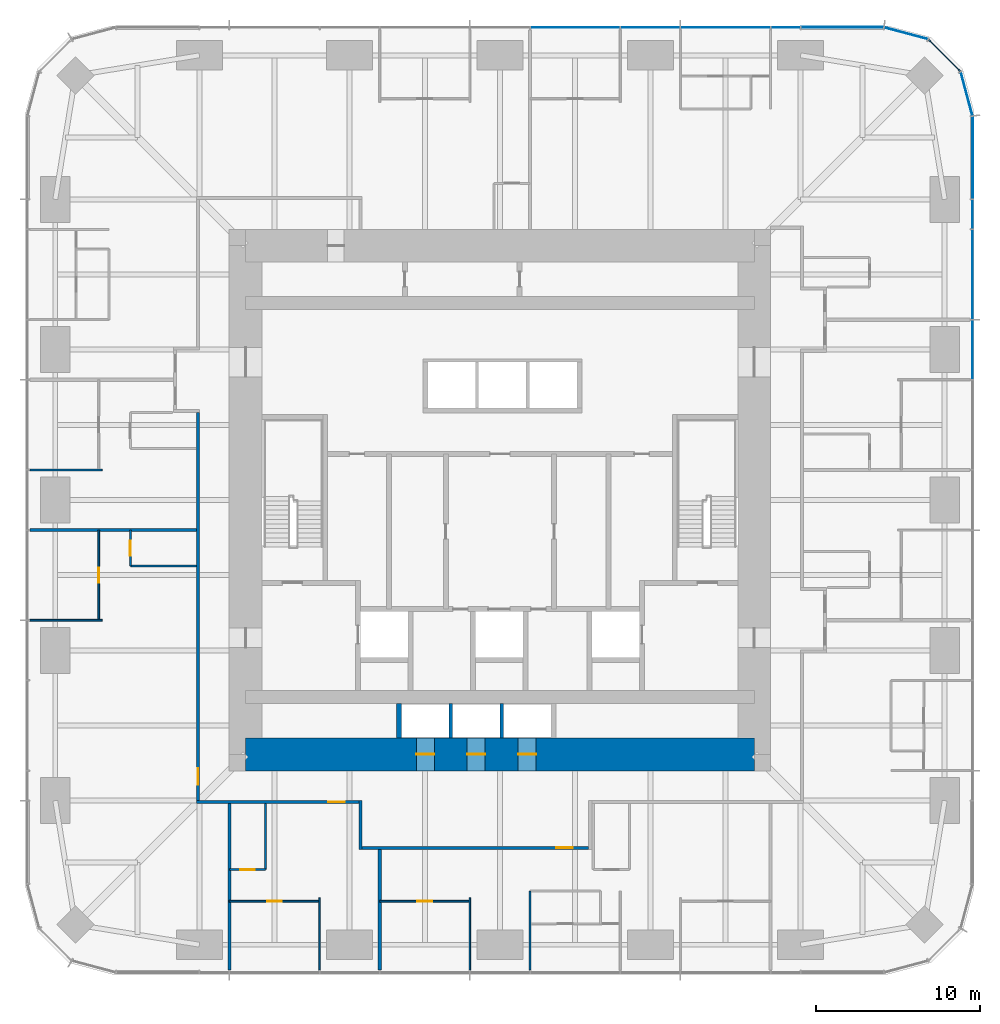
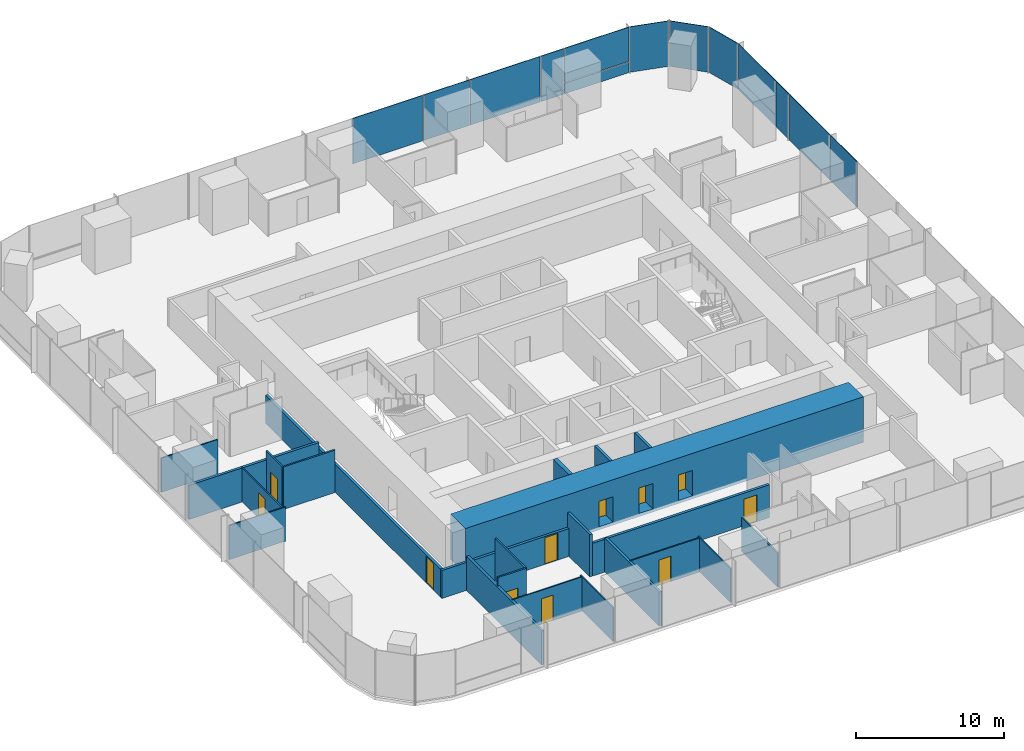
# One storey, part 8 of 13: 23 walls, 14 plates, 11 doors, 11 openings, 3 elements without a shape of their own.
"""IFC4 building model written with IfcOpenShell, lengths in metres."""

from ifc_helpers import new_model, si_unit, direction, frame, frame_2d, origin, origin_2d, place, context, subcontext, project, spatial, rectangle, extrude, material, layer, layer_set, type_object, element, fill, aggregate, save


model = new_model("IFC4")

# Units and contexts
model_context = context("Model", 3, precision=1e-05, world=origin(), true_north=direction((0.0, 1.0)))
body_context = subcontext(model_context, "Body", "Model", "MODEL_VIEW")
ifc_project = project(units=[si_unit("LENGTHUNIT", "METRE"), si_unit("AREAUNIT", "SQUARE_METRE"), si_unit("VOLUMEUNIT", "CUBIC_METRE"), si_unit("PLANEANGLEUNIT", "RADIAN"), si_unit("MASSUNIT", "GRAM", prefix="KILO")], contexts=[model_context])

# Site, building, storey
site_placement = place(None, origin())
site = spatial("IfcSite", under=ifc_project, at=site_placement, CompositionType="ELEMENT")
building_placement = place(site_placement, origin())
building = spatial("IfcBuilding", under=site, at=building_placement, Name="Khuree Lantern Residences", CompositionType="ELEMENT")
storey_placement = place(building_placement, frame((0.0, 0.0, 137.25)))
storey = spatial("IfcBuildingStorey", under=building, at=storey_placement, Name="L34", CompositionType="ELEMENT", Elevation=137.25)

# Curtain wall, plates
ifc_material_1 = material(Name="Bronze anodised aluminium", Category="aluminium")
curtain_wall_type_1 = type_object("IfcCurtainWallType", Name="CW-T2 TOWER CORNER CURTAIN WALL", PredefinedType="USERDEFINED", material=ifc_material_1)
curtain_wall_1_placement = place(storey_placement, origin())
curtain_wall_1 = element("IfcCurtainWall", 1, at=curtain_wall_1_placement, inside=storey, type_object=curtain_wall_type_1, Name="L34 NORTH-EAST CORNER CURTAIN WALL", ObjectType="Faceted corner curtain wall", PredefinedType="USERDEFINED")
ifc_material_2 = material(Name="Bronze tinted triple glazing", Category="glass")
ifc_layer_1 = layer(ifc_material_2, 0.048095703125)
ifc_layer_set_1 = layer_set([ifc_layer_1], Name="FACET PANEL P4")
plate_type_1 = type_object("IfcPlateType", Name="FACET PANEL P4", PredefinedType="CURTAIN_PANEL", material=ifc_layer_set_1)
plate_1_placement = place(storey_placement, frame((28.438720703125, 24.748046875, 0.0), z_axis=(0.0, 0.0, 1.0), x_axis=(-0.258819105321, 0.965925810153, 0.0)))
plate_1 = element("IfcPlate", 2, at=plate_1_placement, type_object=plate_type_1, Name="L34 NORTH-EAST CORNER PANEL 15.1", PredefinedType="CURTAIN_PANEL", context=body_context, shape_type="SweptSolid", body=[
    extrude(rectangle(XDim=2.71923828125, YDim=0.048095703125, at=origin_2d()), origin(), (0.0, 0.0, 1.0), 3.75),
])
plate_2_placement = place(storey_placement, frame((27.08837890625, 27.08837890625, 0.0), z_axis=(0.0, 0.0, 1.0), x_axis=(-0.707106781187, 0.707106781187, 0.0)))
plate_2 = element("IfcPlate", 3, at=plate_2_placement, type_object=plate_type_1, Name="L34 NORTH-EAST CORNER PANEL 16.1", PredefinedType="CURTAIN_PANEL", context=body_context, shape_type="SweptSolid", body=[
    extrude(rectangle(XDim=2.715087890625, YDim=0.048095703125, at=origin_2d()), origin(), (0.0, 0.0, 1.0), 3.75),
])
plate_3_placement = place(storey_placement, frame((24.748046875, 28.438720703125, 0.0), z_axis=(0.0, 0.0, 1.0), x_axis=(-0.965925810153, 0.258819105321, 0.0)))
plate_3 = element("IfcPlate", 4, at=plate_3_placement, type_object=plate_type_1, Name="L34 NORTH-EAST CORNER PANEL 17.1", PredefinedType="CURTAIN_PANEL", context=body_context, shape_type="SweptSolid", body=[
    extrude(rectangle(XDim=2.71923828125, YDim=0.048095703125, at=origin_2d()), origin(), (0.0, 0.0, 1.0), 3.75),
])
aggregate(curtain_wall_1, [plate_1, plate_2, plate_3])

# Curtain wall, plate
curtain_wall_type_2 = type_object("IfcCurtainWallType", Name="CW-T1 TOWER FACE CURTAIN WALL", PredefinedType="USERDEFINED", material=ifc_material_1)
curtain_wall_2_placement = place(storey_placement, origin())
curtain_wall_2 = element("IfcCurtainWall", 5, at=curtain_wall_2_placement, inside=storey, type_object=curtain_wall_type_2, Name="L34 EAST FACE CURTAIN WALL", ObjectType="Stick-built curtain wall", PredefinedType="USERDEFINED")
ifc_material_3 = material(Name="Bronze tinted triple glazing with a ceramic-fritted spandrel band", Category="glass")
ifc_layer_2 = layer(ifc_material_3, 0.048095703125)
ifc_layer_set_2 = layer_set([ifc_layer_2], Name="FIXED LIGHT PANEL P11")
plate_type_2 = type_object("IfcPlateType", Name="FIXED LIGHT PANEL P11", PredefinedType="CURTAIN_PANEL", material=ifc_layer_set_2)
plate_4_placement = place(storey_placement, frame((28.800048828125, 13.739990234375, 0.0), z_axis=(0.0, 0.0, 1.0), x_axis=(0.0, 1.0, 0.0)))
plate_4 = element("IfcPlate", 6, at=plate_4_placement, type_object=plate_type_2, Name="L34 EAST FACE PANEL 12.1", PredefinedType="CURTAIN_PANEL", context=body_context, shape_type="SweptSolid", body=[
    extrude(rectangle(XDim=5.430908203125, YDim=0.048095703125, at=origin_2d()), origin(), (0.0, 0.0, 1.0), 3.75),
])

# Curtain wall, plates
curtain_wall_3_placement = place(storey_placement, origin())
curtain_wall_3 = element("IfcCurtainWall", 7, at=curtain_wall_3_placement, inside=storey, type_object=curtain_wall_type_2, Name="L34 NORTH FACE CURTAIN WALL", ObjectType="Stick-built curtain wall", PredefinedType="USERDEFINED")
plate_5_placement = place(storey_placement, frame((13.739990234375, 28.800048828125, 0.0), z_axis=(0.0, 0.0, 1.0), x_axis=(-1.0, 0.0, 0.0)))
plate_5 = element("IfcPlate", 8, at=plate_5_placement, type_object=plate_type_2, Name="L34 NORTH FACE PANEL 20.1", PredefinedType="CURTAIN_PANEL", context=body_context, shape_type="SweptSolid", body=[
    extrude(rectangle(XDim=5.430908203125, YDim=0.048095703125, at=origin_2d()), origin(), (0.0, 0.0, 1.0), 3.75),
])
plate_6_placement = place(storey_placement, frame((4.580078125, 28.800048828125, 0.0), z_axis=(0.0, 0.0, 1.0), x_axis=(-1.0, 0.0, 0.0)))
plate_6 = element("IfcPlate", 9, at=plate_6_placement, type_object=plate_type_2, Name="L34 NORTH FACE PANEL 22.1", PredefinedType="CURTAIN_PANEL", context=body_context, shape_type="SweptSolid", body=[
    extrude(rectangle(XDim=5.430908203125, YDim=0.048095703125, at=origin_2d()), origin(), (0.0, 0.0, 1.0), 3.75),
])

# Plate
ifc_material_4 = material(Name="Bronze tinted triple glazing, two aluminium-framed sashes in one frame", Category="aluminium")
ifc_layer_3 = layer(ifc_material_4, 0.048095703125)
ifc_layer_set_3 = layer_set([ifc_layer_3], Name="SASH PAIR PANEL P12")
plate_type_3 = type_object("IfcPlateType", Name="SASH PAIR PANEL P12", PredefinedType="CURTAIN_PANEL", material=ifc_layer_set_3)
plate_7_placement = place(storey_placement, frame((28.800048828125, 9.159912109375, 0.0), z_axis=(0.0, 0.0, 1.0), x_axis=(0.0, 1.0, 0.0)))
plate_7 = element("IfcPlate", 10, at=plate_7_placement, type_object=plate_type_3, Name="L34 EAST FACE PANEL 11.1", PredefinedType="CURTAIN_PANEL", context=body_context, shape_type="SweptSolid", body=[
    extrude(rectangle(XDim=3.59912109375, YDim=0.048095703125, at=origin_2d()), origin(), (0.0, 0.0, 1.0), 3.75),
])

plate_8_placement = place(storey_placement, frame((9.159912109375, 28.800048828125, 0.0), z_axis=(0.0, 0.0, 1.0), x_axis=(-1.0, 0.0, 0.0)))
plate_8 = element("IfcPlate", 11, at=plate_8_placement, type_object=plate_type_3, Name="L34 NORTH FACE PANEL 21.1", PredefinedType="CURTAIN_PANEL", context=body_context, shape_type="SweptSolid", body=[
    extrude(rectangle(XDim=3.59912109375, YDim=0.048095703125, at=origin_2d()), origin(), (0.0, 0.0, 1.0), 3.75),
])

ifc_material_5 = material(Name="Bronze tinted triple glazing, aluminium-framed sash", Category="aluminium")
ifc_layer_4 = layer(ifc_material_5, 0.048095703125)
ifc_layer_set_4 = layer_set([ifc_layer_4], Name="SASH PANEL P3")
plate_type_4 = type_object("IfcPlateType", Name="SASH PANEL P3", PredefinedType="CURTAIN_PANEL", material=ifc_layer_set_4)
plate_9_placement = place(storey_placement, frame((28.800048828125, 17.404052734375, 0.0), z_axis=(0.0, 0.0, 1.0), x_axis=(0.0, 1.0, 0.0)))
plate_9 = element("IfcPlate", 12, at=plate_9_placement, type_object=plate_type_4, Name="L34 EAST FACE PANEL 13.1", PredefinedType="CURTAIN_PANEL", context=body_context, shape_type="SweptSolid", body=[
    extrude(rectangle(XDim=1.76708984375, YDim=0.048095703125, at=origin_2d()), origin(), (0.0, 0.0, 1.0), 3.75),
])

plate_10_placement = place(storey_placement, frame((17.404052734375, 28.800048828125, 0.0), z_axis=(0.0, 0.0, 1.0), x_axis=(-1.0, 0.0, 0.0)))
plate_10 = element("IfcPlate", 13, at=plate_10_placement, type_object=plate_type_4, Name="L34 NORTH FACE PANEL 19.1", PredefinedType="CURTAIN_PANEL", context=body_context, shape_type="SweptSolid", body=[
    extrude(rectangle(XDim=1.76708984375, YDim=0.048095703125, at=origin_2d()), origin(), (0.0, 0.0, 1.0), 3.75),
])

ifc_material_6 = material(Name="Bronze anodised aluminium insulated spandrel", Category="aluminium")
ifc_layer_5 = layer(ifc_material_6, 0.06005859375)
ifc_layer_set_5 = layer_set([ifc_layer_5], Name="SPANDREL PANEL P2")
plate_type_5 = type_object("IfcPlateType", Name="SPANDREL PANEL P2", PredefinedType="CURTAIN_PANEL", material=ifc_layer_set_5)
plate_11_placement = place(storey_placement, frame((28.800048828125, 20.85791015625, 0.0), z_axis=(0.0, 0.0, 1.0), x_axis=(0.0, 1.0, 0.0)))
plate_11 = element("IfcPlate", 14, at=plate_11_placement, type_object=plate_type_5, Name="L34 EAST FACE PANEL 14.1", PredefinedType="CURTAIN_PANEL", context=body_context, shape_type="SweptSolid", body=[
    extrude(rectangle(XDim=5.0107421875, YDim=0.06005859375, at=origin_2d()), origin(), (0.0, 0.0, 1.0), 0.867431640625),
])

plate_12_placement = place(storey_placement, frame((20.85791015625, 28.800048828125, 0.0), z_axis=(0.0, 0.0, 1.0), x_axis=(-1.0, 0.0, 0.0)))
plate_12 = element("IfcPlate", 15, at=plate_12_placement, type_object=plate_type_5, Name="L34 NORTH FACE PANEL 18.1", PredefinedType="CURTAIN_PANEL", context=body_context, shape_type="SweptSolid", body=[
    extrude(rectangle(XDim=5.0107421875, YDim=0.06005859375, at=origin_2d()), origin(), (0.0, 0.0, 1.0), 0.867431640625),
])

ifc_layer_6 = layer(ifc_material_2, 0.048095703125)
ifc_layer_set_6 = layer_set([ifc_layer_6], Name="VISION PANEL P1")
plate_type_6 = type_object("IfcPlateType", Name="VISION PANEL P1", PredefinedType="CURTAIN_PANEL", material=ifc_layer_set_6)
plate_13_placement = place(storey_placement, frame((28.800048828125, 20.8583984375, 0.9326171875), z_axis=(0.0, 0.0, 1.0), x_axis=(0.0, 1.0, 0.0)))
plate_13 = element("IfcPlate", 16, at=plate_13_placement, type_object=plate_type_6, Name="L34 EAST FACE PANEL 14.2", PredefinedType="CURTAIN_PANEL", context=body_context, shape_type="SweptSolid", body=[
    extrude(rectangle(XDim=5.011474609375, YDim=0.048095703125, at=origin_2d()), origin(), (0.0, 0.0, 1.0), 2.8173828125),
])

aggregate(curtain_wall_2, [plate_7, plate_4, plate_9, plate_11, plate_13])

plate_14_placement = place(storey_placement, frame((20.8583984375, 28.800048828125, 0.9326171875), z_axis=(0.0, 0.0, 1.0), x_axis=(-1.0, 0.0, 0.0)))
plate_14 = element("IfcPlate", 17, at=plate_14_placement, type_object=plate_type_6, Name="L34 NORTH FACE PANEL 18.2", PredefinedType="CURTAIN_PANEL", context=body_context, shape_type="SweptSolid", body=[
    extrude(rectangle(XDim=5.011474609375, YDim=0.048095703125, at=origin_2d()), origin(), (0.0, 0.0, 1.0), 2.8173828125),
])

aggregate(curtain_wall_3, [plate_12, plate_14, plate_10, plate_5, plate_8, plate_6])

# Wall, opening, door
ifc_material_7 = material(Name="Moisture-resistant gypsum board on steel studs", Category="steel")
ifc_layer_7 = layer(ifc_material_7, 0.125)
ifc_layer_set_7 = layer_set([ifc_layer_7], Name="BATHROOM WALL BTW125")
wall_type_1 = type_object("IfcWallType", Name="BATHROOM WALL BTW125", PredefinedType="PARTITIONING", material=ifc_layer_set_7)
wall_1_placement = place(storey_placement, frame((-22.52978515625, -1.83203125, 0.0), z_axis=(0.0, 0.0, 1.0), x_axis=(0.0, -1.0, 0.0)))
wall_1 = element("IfcWall", 18, at=wall_1_placement, inside=storey, type_object=wall_type_1, Name="L34 BATHROOM WALL 06", PredefinedType="PARTITIONING", context=body_context, shape_type="SweptSolid", body=[
    extrude(rectangle(XDim=2.199951171875, YDim=0.125, at=frame_2d((1.10009765625, 0.0))), origin(), (0.0, 0.0, 1.0), 3.5),
])
opening_1_placement = place(wall_1_placement, frame((0.64990234375, 0.0, 0.0)))
opening_1 = element("IfcOpeningElement", 19, at=opening_1_placement, cuts=wall_1, Name="Opening 34-043", PredefinedType="OPENING", context=body_context, shape_type="SweptSolid", body=[
    extrude(rectangle(XDim=0.89990234375, YDim=2.10009765625, at=frame_2d((0.449951171875, 1.050048828125))), frame((0.0, 0.072509765625, 0.0), z_axis=(0.0, -1.0, 0.0), x_axis=(1.0, 0.0, 0.0)), (0.0, 0.0, 1.0), 0.14501953125),
])
ifc_material_8 = material(Name="Timber door leaf in hardwood frame", Category="wood")
door_type_1 = type_object("IfcDoorType", Name="BATHROOM DOOR 900X2100", OperationType="SINGLE_SWING_LEFT", PredefinedType="DOOR", material=ifc_material_8)
door_1_placement = place(opening_1_placement, origin())
door_1 = element("IfcDoor", 20, at=door_1_placement, inside=storey, type_object=door_type_1, Name="Bathroom door 34-043", OperationType="SINGLE_SWING_LEFT", OverallHeight=2.10009765625, OverallWidth=0.89990234375, PredefinedType="DOOR", context=body_context, shape_type="SweptSolid", body=[
    extrude(rectangle(XDim=0.89990234375, YDim=2.10009765625, at=frame_2d((0.449951171875, 1.050048828125))), frame((0.0, 0.02490234375, 0.0), z_axis=(0.0, -1.0, 0.0), x_axis=(1.0, 0.0, 0.0)), (0.0, 0.0, 1.0), 0.050048828125),
])
fill(opening_1, door_1)

# Wall
wall_2_placement = place(storey_placement, frame((-18.5, -4.031982421875, 0.0), z_axis=(0.0, 0.0, 1.0), x_axis=(-1.0, 0.0, 0.0)))
element("IfcWall", 21, at=wall_2_placement, inside=storey, type_object=wall_type_1, Name="L34 BATHROOM WALL 06", PredefinedType="PARTITIONING", context=body_context, shape_type="SweptSolid", body=[
    extrude(rectangle(XDim=4.02978515625, YDim=0.125, at=frame_2d((2.014892578125, 0.0))), origin(), (0.0, 0.0, 1.0), 3.5),
])

# Wall, opening, door
wall_3_placement = place(storey_placement, frame((-16.488037109375, -22.52978515625, 0.0), z_axis=(0.0, 0.0, 1.0), x_axis=(1.0, 0.0, 0.0)))
wall_3 = element("IfcWall", 22, at=wall_3_placement, inside=storey, type_object=wall_type_1, Name="L34 BATHROOM WALL 07", PredefinedType="PARTITIONING", context=body_context, shape_type="SweptSolid", body=[
    extrude(rectangle(XDim=2.199951171875, YDim=0.125, at=frame_2d((1.10009765625, 0.0))), origin(), (0.0, 0.0, 1.0), 3.5),
])
opening_2_placement = place(wall_3_placement, frame((0.64990234375, 0.0, 0.0)))
opening_2 = element("IfcOpeningElement", 23, at=opening_2_placement, cuts=wall_3, Name="Opening 34-046", PredefinedType="OPENING", context=body_context, shape_type="SweptSolid", body=[
    extrude(rectangle(XDim=0.89990234375, YDim=2.10009765625, at=frame_2d((0.449951171875, 1.050048828125))), frame((0.0, 0.072509765625, 0.0), z_axis=(0.0, -1.0, 0.0), x_axis=(1.0, 0.0, 0.0)), (0.0, 0.0, 1.0), 0.14501953125),
])
door_2_placement = place(opening_2_placement, origin())
door_2 = element("IfcDoor", 24, at=door_2_placement, inside=storey, type_object=door_type_1, Name="Bathroom door 34-046", OperationType="SINGLE_SWING_LEFT", OverallHeight=2.10009765625, OverallWidth=0.89990234375, PredefinedType="DOOR", context=body_context, shape_type="SweptSolid", body=[
    extrude(rectangle(XDim=0.89990234375, YDim=2.10009765625, at=frame_2d((0.449951171875, 1.050048828125))), frame((0.0, 0.02490234375, 0.0), z_axis=(0.0, -1.0, 0.0), x_axis=(1.0, 0.0, 0.0)), (0.0, 0.0, 1.0), 0.050048828125),
])
fill(opening_2, door_2)

# Walls
wall_4_placement = place(storey_placement, frame((-14.2880859375, -18.5, 0.0), z_axis=(0.0, 0.0, 1.0), x_axis=(0.0, -1.0, 0.0)))
element("IfcWall", 25, at=wall_4_placement, inside=storey, type_object=wall_type_1, Name="L34 BATHROOM WALL 07", PredefinedType="PARTITIONING", context=body_context, shape_type="SweptSolid", body=[
    extrude(rectangle(XDim=4.02978515625, YDim=0.125, at=frame_2d((2.014892578125, 0.0))), origin(), (0.0, 0.0, 1.0), 3.5),
])
ifc_material_9 = material(Name="Dense concrete blockwork", Category="masonry")
ifc_layer_8 = layer(ifc_material_9, 0.300048828125)
ifc_layer_set_8 = layer_set([ifc_layer_8], Name="CORE PARTITION WALL CPW300 EI 120")
wall_type_2 = type_object("IfcWallType", Name="CORE PARTITION WALL CPW300 EI 120", PredefinedType="PARTITIONING", material=ifc_layer_set_8)
wall_5_placement = place(storey_placement, frame((-6.14990234375, -14.5, 0.0), z_axis=(0.0, 0.0, 1.0), x_axis=(0.0, 1.0, 0.0)))
element("IfcWall", 26, at=wall_5_placement, inside=storey, type_object=wall_type_2, Name="L34 CORE WALL PMW", PredefinedType="PARTITIONING", context=body_context, shape_type="SweptSolid", body=[
    extrude(rectangle(XDim=2.10009765625, YDim=0.300048828125, at=frame_2d((1.050048828125, 0.0))), origin(), (0.0, 0.0, 1.0), 3.5),
])

# Wall, opening, door
ifc_material_10 = material(Name="Gypsum board on steel studs", Category="steel")
ifc_layer_9 = layer(ifc_material_10, 0.199951171875)
ifc_layer_set_9 = layer_set([ifc_layer_9], Name="CORRIDOR WALL CRW200 EI 60")
wall_type_3 = type_object("IfcWallType", Name="CORRIDOR WALL CRW200 EI 60", PredefinedType="PARTITIONING", material=ifc_layer_set_9)
wall_6_placement = place(storey_placement, frame((-18.39990234375, 5.327880859375, 0.0), z_axis=(0.0, 0.0, 1.0), x_axis=(0.0, -1.0, 0.0)))
wall_6 = element("IfcWall", 27, at=wall_6_placement, inside=storey, type_object=wall_type_3, Name="L34 CORRIDOR WALL WEST 2", PredefinedType="PARTITIONING", context=body_context, shape_type="SweptSolid", body=[
    extrude(rectangle(XDim=23.6279296875, YDim=0.199951171875, at=frame_2d((11.81396484375, 0.0))), origin(), (0.0, 0.0, 1.0), 2.300048828125),
])
opening_3_placement = place(wall_6_placement, frame((21.679931640625, 0.0, 0.0)))
opening_3 = element("IfcOpeningElement", 28, at=opening_3_placement, cuts=wall_6, Name="Opening 34-044", PredefinedType="OPENING", context=body_context, shape_type="SweptSolid", body=[
    extrude(rectangle(XDim=1.0, YDim=2.199951171875, at=frame_2d((0.5, 1.10009765625))), frame((0.0, 0.10986328125, 0.0), z_axis=(0.0, -1.0, 0.0), x_axis=(1.0, 0.0, 0.0)), (0.0, 0.0, 1.0), 0.219970703125),
])
door_type_2 = type_object("IfcDoorType", Name="APARTMENT ENTRANCE DOOR 1000X2200 EI 30S RIGHT HAND", OperationType="SINGLE_SWING_RIGHT", PredefinedType="DOOR", material=ifc_material_8)
door_3_placement = place(opening_3_placement, origin())
door_3 = element("IfcDoor", 29, at=door_3_placement, inside=storey, type_object=door_type_2, Name="Apartment 06 entrance door 34-044", OperationType="SINGLE_SWING_RIGHT", OverallHeight=2.199951171875, OverallWidth=1.0, PredefinedType="DOOR", context=body_context, shape_type="SweptSolid", body=[
    extrude(rectangle(XDim=1.0, YDim=2.199951171875, at=frame_2d((0.5, 1.10009765625))), frame((0.0, 0.02490234375, 0.0), z_axis=(0.0, -1.0, 0.0), x_axis=(1.0, 0.0, 0.0)), (0.0, 0.0, 1.0), 0.050048828125),
])
fill(opening_3, door_3)

# Wall
wall_7_placement = place(storey_placement, frame((-8.5, -18.300048828125, 0.0), z_axis=(0.0, 0.0, 1.0), x_axis=(0.0, -1.0, 0.0)))
element("IfcWall", 30, at=wall_7_placement, inside=storey, type_object=wall_type_3, Name="L34 LIFT LOBBY WALL", PredefinedType="PARTITIONING", context=body_context, shape_type="SweptSolid", body=[
    extrude(rectangle(XDim=3.0, YDim=0.199951171875, at=frame_2d((1.5, 0.0))), origin(), (0.0, 0.0, 1.0), 3.5),
])

# Wall, opening, door
wall_8_placement = place(storey_placement, frame((5.39990234375, -21.199951171875, 0.0), z_axis=(0.0, 0.0, 1.0), x_axis=(-1.0, 0.0, 0.0)))
wall_8 = element("IfcWall", 31, at=wall_8_placement, inside=storey, type_object=wall_type_3, Name="L34 LIFT LOBBY WALL", PredefinedType="PARTITIONING", context=body_context, shape_type="SweptSolid", body=[
    extrude(rectangle(XDim=13.7998046875, YDim=0.199951171875, at=frame_2d((6.89990234375, 0.0))), origin(), (0.0, 0.0, 1.0), 2.699951171875),
])
opening_4_placement = place(wall_8_placement, frame((0.9580078125, 0.0, 0.0)))
opening_4 = element("IfcOpeningElement", 32, at=opening_4_placement, cuts=wall_8, Name="Opening 34-053", PredefinedType="OPENING", context=body_context, shape_type="SweptSolid", body=[
    extrude(rectangle(XDim=1.0, YDim=2.199951171875, at=frame_2d((0.5, 1.10009765625))), frame((0.0, 0.10986328125, 0.0), z_axis=(0.0, -1.0, 0.0), x_axis=(1.0, 0.0, 0.0)), (0.0, 0.0, 1.0), 0.219970703125),
])
door_type_3 = type_object("IfcDoorType", Name="APARTMENT ENTRANCE DOOR 1000X2200 EI 30S", OperationType="SINGLE_SWING_LEFT", PredefinedType="DOOR", material=ifc_material_8)
door_4_placement = place(opening_4_placement, origin())
door_4 = element("IfcDoor", 33, at=door_4_placement, inside=storey, type_object=door_type_3, Name="Apartment 08 entrance door 34-053", OperationType="SINGLE_SWING_LEFT", OverallHeight=2.199951171875, OverallWidth=1.0, PredefinedType="DOOR", context=body_context, shape_type="SweptSolid", body=[
    extrude(rectangle(XDim=1.0, YDim=2.199951171875, at=frame_2d((0.5, 1.10009765625))), frame((0.0, 0.02490234375, 0.0), z_axis=(0.0, -1.0, 0.0), x_axis=(1.0, 0.0, 0.0)), (0.0, 0.0, 1.0), 0.050048828125),
])
fill(opening_4, door_4)

wall_9_placement = place(storey_placement, frame((-8.60009765625, -18.39990234375, 0.0), z_axis=(0.0, 0.0, 1.0), x_axis=(-1.0, 0.0, 0.0)))
wall_9 = element("IfcWall", 34, at=wall_9_placement, inside=storey, type_object=wall_type_3, Name="L34 CORRIDOR WALL SOUTH 2", PredefinedType="PARTITIONING", context=body_context, shape_type="SweptSolid", body=[
    extrude(rectangle(XDim=9.89990234375, YDim=0.199951171875, at=frame_2d((4.949951171875, 0.0))), origin(), (0.0, 0.0, 1.0), 2.300048828125),
])
opening_5_placement = place(wall_9_placement, frame((0.867919921875, 0.0, 0.0)))
opening_5 = element("IfcOpeningElement", 35, at=opening_5_placement, cuts=wall_9, Name="Opening 34-047", PredefinedType="OPENING", context=body_context, shape_type="SweptSolid", body=[
    extrude(rectangle(XDim=1.0, YDim=2.199951171875, at=frame_2d((0.5, 1.10009765625))), frame((0.0, 0.10986328125, 0.0), z_axis=(0.0, -1.0, 0.0), x_axis=(1.0, 0.0, 0.0)), (0.0, 0.0, 1.0), 0.219970703125),
])
door_5_placement = place(opening_5_placement, origin())
door_5 = element("IfcDoor", 36, at=door_5_placement, inside=storey, type_object=door_type_3, Name="Apartment 07 entrance door 34-047", OperationType="SINGLE_SWING_LEFT", OverallHeight=2.199951171875, OverallWidth=1.0, PredefinedType="DOOR", context=body_context, shape_type="SweptSolid", body=[
    extrude(rectangle(XDim=1.0, YDim=2.199951171875, at=frame_2d((0.5, 1.10009765625))), frame((0.0, 0.02490234375, 0.0), z_axis=(0.0, -1.0, 0.0), x_axis=(1.0, 0.0, 0.0)), (0.0, 0.0, 1.0), 0.050048828125),
])
fill(opening_5, door_5)

# Wall, openings, doors
ifc_material_11 = material(Name="Concrete C70/85", Category="concrete")
ifc_layer_10 = layer(ifc_material_11, 2.0)
ifc_layer_set_10 = layer_set([ifc_layer_10], Name="CW2000-C70 CORE WALL C70 2000")
wall_type_4 = type_object("IfcWallType", Name="CW2000-C70 CORE WALL C70 2000", PredefinedType="SHEAR", material=ifc_layer_set_10)
wall_10_placement = place(storey_placement, frame((-15.5, -15.5, -0.25), z_axis=(0.0, 0.0, 1.0), x_axis=(1.0, 0.0, 0.0)))
wall_10 = element("IfcWall", 37, at=wall_10_placement, inside=storey, type_object=wall_type_4, Name="Core wall S", PredefinedType="SHEAR", context=body_context, shape_type="SweptSolid", body=[
    extrude(rectangle(XDim=31.0, YDim=2.0, at=frame_2d((15.5, 0.0))), origin(), (0.0, 0.0, 1.0), 3.75),
])
opening_6_placement = place(wall_10_placement, frame((10.39990234375, 0.0, 0.25)))
opening_6 = element("IfcOpeningElement", 38, at=opening_6_placement, cuts=wall_10, Name="Opening 34-009", PredefinedType="OPENING", context=body_context, shape_type="SweptSolid", body=[
    extrude(rectangle(XDim=1.10009765625, YDim=2.10009765625, at=frame_2d((0.550048828125, 1.050048828125))), frame((0.0, 1.010009765625, 0.0), z_axis=(0.0, -1.0, 0.0), x_axis=(1.0, 0.0, 0.0)), (0.0, 0.0, 1.0), 2.02001953125),
])
opening_7_placement = place(wall_10_placement, frame((13.5, 0.0, 0.25)))
opening_7 = element("IfcOpeningElement", 39, at=opening_7_placement, cuts=wall_10, Name="Opening 34-010", PredefinedType="OPENING", context=body_context, shape_type="SweptSolid", body=[
    extrude(rectangle(XDim=1.10009765625, YDim=2.10009765625, at=frame_2d((0.550048828125, 1.050048828125))), frame((0.0, 1.010009765625, 0.0), z_axis=(0.0, -1.0, 0.0), x_axis=(1.0, 0.0, 0.0)), (0.0, 0.0, 1.0), 2.02001953125),
])
opening_8_placement = place(wall_10_placement, frame((16.60009765625, 0.0, 0.25)))
opening_8 = element("IfcOpeningElement", 40, at=opening_8_placement, cuts=wall_10, Name="Opening 34-011", PredefinedType="OPENING", context=body_context, shape_type="SweptSolid", body=[
    extrude(rectangle(XDim=1.10009765625, YDim=2.10009765625, at=frame_2d((0.550048828125, 1.050048828125))), frame((0.0, 1.010009765625, 0.0), z_axis=(0.0, -1.0, 0.0), x_axis=(1.0, 0.0, 0.0)), (0.0, 0.0, 1.0), 2.02001953125),
])
ifc_material_12 = material(Name="Stainless steel lift landing door", Category="steel")
door_type_4 = type_object("IfcDoorType", Name="LIFT LANDING DOOR 1100X2100 E 60", OperationType="DOUBLE_DOOR_SLIDING", PredefinedType="DOOR", material=ifc_material_12)
door_6_placement = place(opening_6_placement, origin())
door_6 = element("IfcDoor", 41, at=door_6_placement, inside=storey, type_object=door_type_4, Name="Landing door PM1 34-009", OperationType="DOUBLE_DOOR_SLIDING", OverallHeight=2.10009765625, OverallWidth=1.10009765625, PredefinedType="DOOR", context=body_context, shape_type="SweptSolid", body=[
    extrude(rectangle(XDim=1.10009765625, YDim=2.10009765625, at=frame_2d((0.550048828125, 1.050048828125))), frame((0.0, 0.02490234375, 0.0), z_axis=(0.0, -1.0, 0.0), x_axis=(1.0, 0.0, 0.0)), (0.0, 0.0, 1.0), 0.050048828125),
])
fill(opening_6, door_6)
door_7_placement = place(opening_7_placement, origin())
door_7 = element("IfcDoor", 42, at=door_7_placement, inside=storey, type_object=door_type_4, Name="Landing door PM2 34-010", OperationType="DOUBLE_DOOR_SLIDING", OverallHeight=2.10009765625, OverallWidth=1.10009765625, PredefinedType="DOOR", context=body_context, shape_type="SweptSolid", body=[
    extrude(rectangle(XDim=1.10009765625, YDim=2.10009765625, at=frame_2d((0.550048828125, 1.050048828125))), frame((0.0, 0.02490234375, 0.0), z_axis=(0.0, -1.0, 0.0), x_axis=(1.0, 0.0, 0.0)), (0.0, 0.0, 1.0), 0.050048828125),
])
fill(opening_7, door_7)
door_8_placement = place(opening_8_placement, origin())
door_8 = element("IfcDoor", 43, at=door_8_placement, inside=storey, type_object=door_type_4, Name="Landing door PM3 34-011", OperationType="DOUBLE_DOOR_SLIDING", OverallHeight=2.10009765625, OverallWidth=1.10009765625, PredefinedType="DOOR", context=body_context, shape_type="SweptSolid", body=[
    extrude(rectangle(XDim=1.10009765625, YDim=2.10009765625, at=frame_2d((0.550048828125, 1.050048828125))), frame((0.0, 0.02490234375, 0.0), z_axis=(0.0, -1.0, 0.0), x_axis=(1.0, 0.0, 0.0)), (0.0, 0.0, 1.0), 0.050048828125),
])
fill(opening_8, door_8)

# Walls
ifc_layer_11 = layer(ifc_material_10, 0.199951171875)
ifc_layer_set_11 = layer_set([ifc_layer_11], Name="DEMISING WALL DMW200 EI 90")
wall_type_5 = type_object("IfcWallType", Name="DEMISING WALL DMW200 EI 90", PredefinedType="PARTITIONING", material=ifc_layer_set_11)
for number, where, z_axis, x_axis, name in (
    (44, (-18.5, -1.83203125, 0.0), (0.0, 0.0, 1.0), (-1.0, 0.0, 0.0), "L34 DEMISING WALL 06"),
    (45, (-16.488037109375, -18.5, 0.0), (0.0, 0.0, 1.0), (0.0, -1.0, 0.0), "L34 DEMISING WALL 07"),
):
    element("IfcWall", number, at=place(storey_placement, frame(where, z_axis=z_axis, x_axis=x_axis)), inside=storey, type_object=wall_type_5, Name=name, PredefinedType="PARTITIONING", context=body_context, shape_type="SweptSolid", body=[
        extrude(rectangle(XDim=10.14990234375, YDim=0.199951171875, at=frame_2d((5.074951171875, 0.0))), origin(), (0.0, 0.0, 1.0), 2.81005859375),
    ])
wall_11_placement = place(storey_placement, frame((-7.327880859375, -21.300048828125, 0.0), z_axis=(0.0, 0.0, 1.0), x_axis=(0.0, -1.0, 0.0)))
element("IfcWall", 46, at=wall_11_placement, inside=storey, type_object=wall_type_5, Name="L34 DEMISING WALL 08", PredefinedType="PARTITIONING", context=body_context, shape_type="SweptSolid", body=[
    extrude(rectangle(XDim=7.349853515625, YDim=0.199951171875, at=frame_2d((3.6748046875, 0.0))), origin(), (0.0, 0.0, 1.0), 2.81005859375),
])
ifc_layer_12 = layer(ifc_material_10, 0.10009765625)
ifc_layer_set_12 = layer_set([ifc_layer_12], Name="PARTITION PT100")
wall_type_6 = type_object("IfcWallType", Name="PARTITION PT100", PredefinedType="PARTITIONING", material=ifc_layer_set_12)
for number, where, z_axis, x_axis, name in (
    (47, (-24.25, 1.83203125, 0.0), (0.0, 0.0, 1.0), (-1.0, 0.0, 0.0), "L34 PARTITION 05"),
    (48, (-24.25, -7.327880859375, 0.0), (0.0, 0.0, 1.0), (-1.0, 0.0, 0.0), "L34 PARTITION 06"),
    (49, (-10.991943359375, -24.25, 0.0), (0.0, 0.0, 1.0), (0.0, -1.0, 0.0), "L34 PARTITION 07"),
    (50, (-1.83203125, -24.25, 0.0), (0.0, 0.0, 1.0), (0.0, -1.0, 0.0), "L34 PARTITION 08"),
):
    element("IfcWall", number, at=place(storey_placement, frame(where, z_axis=z_axis, x_axis=x_axis)), inside=storey, type_object=wall_type_6, Name=name, PredefinedType="PARTITIONING", context=body_context, shape_type="SweptSolid", body=[
        extrude(rectangle(XDim=4.39990234375, YDim=0.10009765625, at=frame_2d((2.199951171875, 0.0))), origin(), (0.0, 0.0, 1.0), 2.81005859375),
    ])
wall_12_placement = place(storey_placement, frame((1.83203125, -23.829833984375, 0.0), z_axis=(0.0, 0.0, 1.0), x_axis=(0.0, -1.0, 0.0)))
element("IfcWall", 51, at=wall_12_placement, inside=storey, type_object=wall_type_6, Name="L34 PARTITION 08", PredefinedType="PARTITIONING", context=body_context, shape_type="SweptSolid", body=[
    extrude(rectangle(XDim=4.820068359375, YDim=0.10009765625, at=frame_2d((2.41015625, 0.0))), origin(), (0.0, 0.0, 1.0), 2.81005859375),
])

# Wall, opening, door
wall_13_placement = place(storey_placement, frame((-24.449951171875, -1.83203125, 0.0), z_axis=(0.0, 0.0, 1.0), x_axis=(0.0, -1.0, 0.0)))
wall_13 = element("IfcWall", 52, at=wall_13_placement, inside=storey, type_object=wall_type_6, Name="L34 PARTITION 06", PredefinedType="PARTITIONING", context=body_context, shape_type="SweptSolid", body=[
    extrude(rectangle(XDim=5.495849609375, YDim=0.10009765625, at=frame_2d((2.748046875, 0.0))), origin(), (0.0, 0.0, 1.0), 2.81005859375),
])
opening_9_placement = place(wall_13_placement, frame((2.298095703125, 0.0, 0.0)))
opening_9 = element("IfcOpeningElement", 53, at=opening_9_placement, cuts=wall_13, Name="Opening 34-042", PredefinedType="OPENING", context=body_context, shape_type="SweptSolid", body=[
    extrude(rectangle(XDim=0.89990234375, YDim=2.10009765625, at=frame_2d((0.449951171875, 1.050048828125))), frame((0.0, 0.06005859375, 0.0), z_axis=(0.0, -1.0, 0.0), x_axis=(1.0, 0.0, 0.0)), (0.0, 0.0, 1.0), 0.1201171875),
])
door_type_5 = type_object("IfcDoorType", Name="BEDROOM DOOR 900X2100", OperationType="SINGLE_SWING_LEFT", PredefinedType="DOOR", material=ifc_material_8)
door_9_placement = place(opening_9_placement, origin())
door_9 = element("IfcDoor", 54, at=door_9_placement, inside=storey, type_object=door_type_5, Name="Bedroom door 34-042", OperationType="SINGLE_SWING_LEFT", OverallHeight=2.10009765625, OverallWidth=0.89990234375, PredefinedType="DOOR", context=body_context, shape_type="SweptSolid", body=[
    extrude(rectangle(XDim=0.89990234375, YDim=2.10009765625, at=frame_2d((0.449951171875, 1.050048828125))), frame((0.0, 0.02490234375, 0.0), z_axis=(0.0, -1.0, 0.0), x_axis=(1.0, 0.0, 0.0)), (0.0, 0.0, 1.0), 0.050048828125),
])
fill(opening_9, door_9)

wall_14_placement = place(storey_placement, frame((-16.488037109375, -24.449951171875, 0.0), z_axis=(0.0, 0.0, 1.0), x_axis=(1.0, 0.0, 0.0)))
wall_14 = element("IfcWall", 55, at=wall_14_placement, inside=storey, type_object=wall_type_6, Name="L34 PARTITION 07", PredefinedType="PARTITIONING", context=body_context, shape_type="SweptSolid", body=[
    extrude(rectangle(XDim=5.49609375, YDim=0.10009765625, at=frame_2d((2.748046875, 0.0))), origin(), (0.0, 0.0, 1.0), 2.81005859375),
])
opening_10_placement = place(wall_14_placement, frame((2.298095703125, 0.0, 0.0)))
opening_10 = element("IfcOpeningElement", 56, at=opening_10_placement, cuts=wall_14, Name="Opening 34-045", PredefinedType="OPENING", context=body_context, shape_type="SweptSolid", body=[
    extrude(rectangle(XDim=0.89990234375, YDim=2.10009765625, at=frame_2d((0.449951171875, 1.050048828125))), frame((0.0, 0.06005859375, 0.0), z_axis=(0.0, -1.0, 0.0), x_axis=(1.0, 0.0, 0.0)), (0.0, 0.0, 1.0), 0.1201171875),
])
door_10_placement = place(opening_10_placement, origin())
door_10 = element("IfcDoor", 57, at=door_10_placement, inside=storey, type_object=door_type_5, Name="Bedroom door 34-045", OperationType="SINGLE_SWING_LEFT", OverallHeight=2.10009765625, OverallWidth=0.89990234375, PredefinedType="DOOR", context=body_context, shape_type="SweptSolid", body=[
    extrude(rectangle(XDim=0.89990234375, YDim=2.10009765625, at=frame_2d((0.449951171875, 1.050048828125))), frame((0.0, 0.02490234375, 0.0), z_axis=(0.0, -1.0, 0.0), x_axis=(1.0, 0.0, 0.0)), (0.0, 0.0, 1.0), 0.050048828125),
])
fill(opening_10, door_10)

wall_15_placement = place(storey_placement, frame((-7.327880859375, -24.449951171875, 0.0), z_axis=(0.0, 0.0, 1.0), x_axis=(1.0, 0.0, 0.0)))
wall_15 = element("IfcWall", 58, at=wall_15_placement, inside=storey, type_object=wall_type_6, Name="L34 PARTITION 08", PredefinedType="PARTITIONING", context=body_context, shape_type="SweptSolid", body=[
    extrude(rectangle(XDim=5.495849609375, YDim=0.10009765625, at=frame_2d((2.748046875, 0.0))), origin(), (0.0, 0.0, 1.0), 2.81005859375),
])
opening_11_placement = place(wall_15_placement, frame((2.298095703125, 0.0, 0.0)))
opening_11 = element("IfcOpeningElement", 59, at=opening_11_placement, cuts=wall_15, Name="Opening 34-048", PredefinedType="OPENING", context=body_context, shape_type="SweptSolid", body=[
    extrude(rectangle(XDim=0.89990234375, YDim=2.10009765625, at=frame_2d((0.449951171875, 1.050048828125))), frame((0.0, 0.06005859375, 0.0), z_axis=(0.0, -1.0, 0.0), x_axis=(1.0, 0.0, 0.0)), (0.0, 0.0, 1.0), 0.1201171875),
])
door_11_placement = place(opening_11_placement, origin())
door_11 = element("IfcDoor", 60, at=door_11_placement, inside=storey, type_object=door_type_5, Name="Bedroom door 34-048", OperationType="SINGLE_SWING_LEFT", OverallHeight=2.10009765625, OverallWidth=0.89990234375, PredefinedType="DOOR", context=body_context, shape_type="SweptSolid", body=[
    extrude(rectangle(XDim=0.89990234375, YDim=2.10009765625, at=frame_2d((0.449951171875, 1.050048828125))), frame((0.0, 0.02490234375, 0.0), z_axis=(0.0, -1.0, 0.0), x_axis=(1.0, 0.0, 0.0)), (0.0, 0.0, 1.0), 0.050048828125),
])
fill(opening_11, door_11)

# Walls
ifc_layer_13 = layer(ifc_material_9, 0.199951171875)
ifc_layer_set_13 = layer_set([ifc_layer_13], Name="SHAFT WALL SHW200 EI 120")
wall_type_7 = type_object("IfcWallType", Name="SHAFT WALL SHW200 EI 120", PredefinedType="PARTITIONING", material=ifc_layer_set_13)
for number, where, z_axis, x_axis, name in (
    (61, (-3.0, -14.5, 0.0), (0.0, 0.0, 1.0), (0.0, 1.0, 0.0), "L34 CORE WALL PMD1"),
    (62, (0.10009765625, -14.5, 0.0), (0.0, 0.0, 1.0), (0.0, 1.0, 0.0), "L34 CORE WALL PMD2"),
):
    element("IfcWall", number, at=place(storey_placement, frame(where, z_axis=z_axis, x_axis=x_axis)), inside=storey, type_object=wall_type_7, Name=name, PredefinedType="PARTITIONING", context=body_context, shape_type="SweptSolid", body=[
        extrude(rectangle(XDim=2.10009765625, YDim=0.199951171875, at=frame_2d((1.050048828125, 0.0))), origin(), (0.0, 0.0, 1.0), 3.5),
    ])

save(model, "model.ifc")
